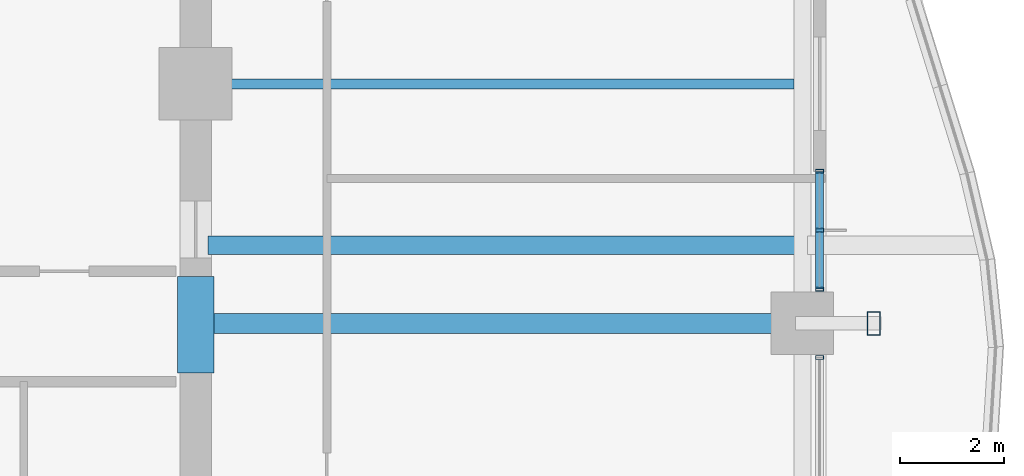
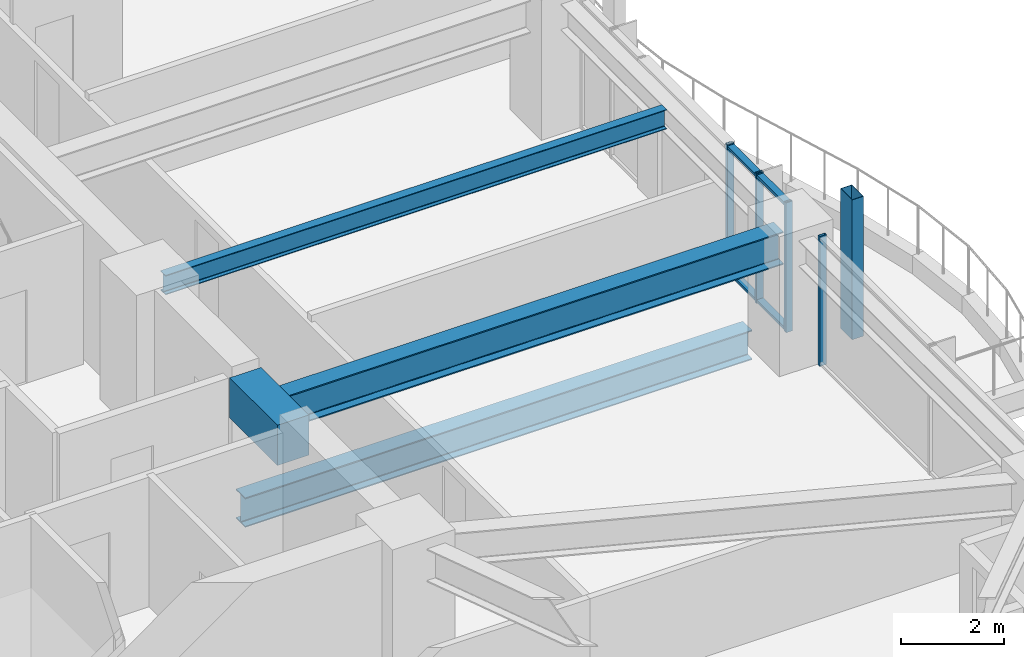
# One storey, part 14 of 36: 7 members, 4 beams, 2 elements without a shape of their own.
"""IFC4 building model written with IfcOpenShell, lengths in metres."""

from ifc_helpers import new_model, si_unit, direction, frame, origin, origin_2d, place, context, subcontext, project, spatial, rectangle, hollow_rectangle, i_section, extrude, material, material_profile, profile_set, type_object, element, aggregate, save


model = new_model("IFC4")

# Units and contexts
model_context = context("Model", 3, precision=1e-05, world=origin(), true_north=direction((0.0, 1.0)))
body_context = subcontext(model_context, "Body", "Model", "MODEL_VIEW")
ifc_project = project(units=[si_unit("LENGTHUNIT", "METRE"), si_unit("AREAUNIT", "SQUARE_METRE"), si_unit("VOLUMEUNIT", "CUBIC_METRE"), si_unit("PLANEANGLEUNIT", "RADIAN"), si_unit("MASSUNIT", "GRAM", prefix="KILO")], contexts=[model_context])

# Site, building, storey
site_placement = place(None, origin())
site = spatial("IfcSite", under=ifc_project, at=site_placement, CompositionType="ELEMENT")
building_placement = place(site_placement, origin())
building = spatial("IfcBuilding", under=site, at=building_placement, Name="Kolvaren Belvedere", CompositionType="ELEMENT")
storey_placement = place(building_placement, frame((0.0, 0.0, 46.89990234375)))
storey = spatial("IfcBuildingStorey", under=building, at=storey_placement, Name="L13", CompositionType="ELEMENT", Elevation=46.89990234375)

# Beams
ifc_material_1 = material(Name="Structural steel ASTM A992 Grade 50", Category="steel")
ifc_material_profile_1 = material_profile(ifc_material_1, i_section(OverallWidth=0.35498046875, OverallDepth=0.696044921875, WebThickness=0.015380859375, FlangeThickness=0.02490234375, FilletRadius=0.02197265625, at=origin_2d()), Name="W27X146")
ifc_profile_set_1 = profile_set([ifc_material_profile_1], Name="Structural steel ASTM A992 Grade 50")
beam_type_1 = type_object("IfcBeamType", Name="BM-GIRD-W27X146", PredefinedType="BEAM", material=ifc_profile_set_1)
beam_1_placement = place(storey_placement, frame((10.139892578125, -3.10009765625, -0.587890625), z_axis=(1.0, 0.0, 0.0), x_axis=(0.0, 1.0, 0.0)))
element("IfcBeam", 1, at=beam_1_placement, inside=storey, type_object=beam_type_1, Name="L13 Balcony Interior Back-Span Girder BAL-E-1", PredefinedType="BEAM", context=body_context, shape_type="SweptSolid", body=[
    extrude(i_section(OverallWidth=0.35498046875, OverallDepth=0.696044921875, WebThickness=0.015380859375, FlangeThickness=0.02490234375, FilletRadius=0.02197265625, at=origin_2d()), origin(), (0.0, 0.0, 1.0), 11.315185546875),
])
ifc_material_2 = material(Name="Structural steel ASTM A992 Grade 50", Category="steel")
ifc_material_profile_2 = material_profile(ifc_material_2, i_section(OverallWidth=0.381103515625, OverallDepth=0.77294921875, WebThickness=0.0166015625, FlangeThickness=0.027099609375, FilletRadius=0.02392578125, at=origin_2d()), Name="W30X173")
ifc_profile_set_2 = profile_set([ifc_material_profile_2], Name="Structural steel ASTM A992 Grade 50")
beam_type_2 = type_object("IfcBeamType", Name="BM-GIRD-W30X173", PredefinedType="BEAM", material=ifc_profile_set_2)
beam_2_placement = place(storey_placement, frame((10.199951171875, -4.60009765625, 2.673583984375), z_axis=(1.0, 0.0, 0.0), x_axis=(0.0, 1.0, 0.0)))
element("IfcBeam", 2, at=beam_2_placement, inside=storey, type_object=beam_type_2, Name="L13 East Radial Girder M", PredefinedType="BEAM", context=body_context, shape_type="SweptSolid", body=[
    extrude(i_section(OverallWidth=0.381103515625, OverallDepth=0.77294921875, WebThickness=0.0166015625, FlangeThickness=0.027099609375, FilletRadius=0.02392578125, at=origin_2d()), origin(), (0.0, 0.0, 1.0), 11.080078125),
])
ifc_material_3 = material(Name="Structural steel ASTM A992 Grade 50", Category="steel")
ifc_material_profile_3 = material_profile(ifc_material_3, i_section(OverallWidth=0.19091796875, OverallDepth=0.4599609375, WebThickness=0.010009765625, FlangeThickness=0.01611328125, FilletRadius=0.014892578125, at=origin_2d()), Name="W18X55")
ifc_profile_set_3 = profile_set([ifc_material_profile_3], Name="Structural steel ASTM A992 Grade 50")
beam_type_3 = type_object("IfcBeamType", Name="BM-JOIST-W18X55", PredefinedType="BEAM", material=ifc_profile_set_3)
beam_3_placement = place(storey_placement, frame((10.199951171875, 0.0, 2.830078125), z_axis=(1.0, 0.0, 0.0), x_axis=(0.0, 1.0, 0.0)))
element("IfcBeam", 3, at=beam_3_placement, inside=storey, type_object=beam_type_3, Name="L13 East Centre Floor Beam", PredefinedType="BEAM", context=body_context, shape_type="SweptSolid", body=[
    extrude(i_section(OverallWidth=0.19091796875, OverallDepth=0.4599609375, WebThickness=0.010009765625, FlangeThickness=0.01611328125, FilletRadius=0.014892578125, at=origin_2d()), origin(), (0.0, 0.0, 1.0), 11.1875),
])
ifc_material_4 = material(Name="Concrete C60/75", Category="concrete")
ifc_material_profile_4 = material_profile(ifc_material_4, rectangle(XDim=0.699951171875, YDim=0.949951171875, at=origin_2d()), Name="RC 700X950")
ifc_profile_set_4 = profile_set([ifc_material_profile_4], Name="Concrete C60/75")
beam_type_4 = type_object("IfcBeamType", Name="BM-LINT-950", PredefinedType="LINTEL", material=ifc_profile_set_4)
beam_4_placement = place(storey_placement, frame((9.89990234375, -5.550048828125, 2.585205078125), z_axis=(0.0, 1.0, 0.0), x_axis=(-1.0, 0.0, 0.0)))
element("IfcBeam", 4, at=beam_4_placement, inside=storey, type_object=beam_type_4, Name="L13 East Core Coupling Lintel", PredefinedType="LINTEL", context=body_context, shape_type="SweptSolid", body=[
    extrude(rectangle(XDim=0.699951171875, YDim=0.949951171875, at=origin_2d()), origin(), (0.0, 0.0, 1.0), 1.85009765625),
])

# Curtain wall, members
ifc_material_5 = material(Name="Anodised pale-metal aluminium AA 6063-T6", Category="aluminium")
curtain_wall_type = type_object("IfcCurtainWallType", Name="CW-Z1-LOW", PredefinedType="NOTDEFINED", material=ifc_material_5)
curtain_wall_1_placement = place(storey_placement, origin())
curtain_wall_1 = element("IfcCurtainWall", 5, at=curtain_wall_1_placement, inside=storey, type_object=curtain_wall_type, Name="L13 Unitised Curtain Wall FCW-L13-E2-B1", PredefinedType="NOTDEFINED")
ifc_material_6 = material(Name="Anodised pale-metal aluminium AA 6063-T6", Category="aluminium")
ifc_material_profile_5 = material_profile(ifc_material_6, hollow_rectangle(XDim=0.070068359375, YDim=0.14990234375, WallThickness=0.004150390625, at=origin_2d()), Name="ALU-MUL-150X70")
ifc_profile_set_5 = profile_set([ifc_material_profile_5], Name="Anodised pale-metal aluminium AA 6063-T6")
member_type_1 = type_object("IfcMemberType", Name="CW-MUL-150", PredefinedType="MULLION", material=ifc_profile_set_5)
member_1_placement = place(storey_placement, frame((21.8798828125, -1.679931640625, 0.0), z_axis=(0.0, 0.0, 1.0), x_axis=(0.0, 1.0, 0.0)))
member_1 = element("IfcMember", 6, at=member_1_placement, type_object=member_type_1, Name="FCW-L13-E2-B1 Unitised Mullion 1", PredefinedType="MULLION", context=body_context, shape_type="SweptSolid", body=[
    extrude(hollow_rectangle(XDim=0.070068359375, YDim=0.14990234375, WallThickness=0.004150390625, at=origin_2d()), origin(), (0.0, 0.0, 1.0), 3.06005859375),
])
member_2_placement = place(storey_placement, frame((21.8798828125, -2.8125, 0.0), z_axis=(0.0, 0.0, 1.0), x_axis=(0.0, 1.0, 0.0)))
member_2 = element("IfcMember", 7, at=member_2_placement, type_object=member_type_1, Name="FCW-L13-E2-B1 Unitised Mullion 2", PredefinedType="MULLION", context=body_context, shape_type="SweptSolid", body=[
    extrude(hollow_rectangle(XDim=0.070068359375, YDim=0.14990234375, WallThickness=0.004150390625, at=origin_2d()), origin(), (0.0, 0.0, 1.0), 3.06005859375),
])
member_3_placement = place(storey_placement, frame((21.8798828125, -3.945068359375, 0.0), z_axis=(0.0, 0.0, 1.0), x_axis=(0.0, 1.0, 0.0)))
member_3 = element("IfcMember", 8, at=member_3_placement, type_object=member_type_1, Name="FCW-L13-E2-B1 Unitised Mullion 3", PredefinedType="MULLION", context=body_context, shape_type="SweptSolid", body=[
    extrude(hollow_rectangle(XDim=0.070068359375, YDim=0.14990234375, WallThickness=0.004150390625, at=origin_2d()), origin(), (0.0, 0.0, 1.0), 3.06005859375),
])

# Curtain wall, member
curtain_wall_2_placement = place(storey_placement, origin())
curtain_wall_2 = element("IfcCurtainWall", 9, at=curtain_wall_2_placement, inside=storey, type_object=curtain_wall_type, Name="L13 Unitised Curtain Wall FCW-L13-E2-B2", PredefinedType="NOTDEFINED")
member_4_placement = place(storey_placement, frame((21.8798828125, -5.2548828125, 0.0), z_axis=(0.0, 0.0, 1.0), x_axis=(0.0, 1.0, 0.0)))
member_4 = element("IfcMember", 10, at=member_4_placement, type_object=member_type_1, Name="FCW-L13-E2-B2 Unitised Mullion 1", PredefinedType="MULLION", context=body_context, shape_type="SweptSolid", body=[
    extrude(hollow_rectangle(XDim=0.070068359375, YDim=0.14990234375, WallThickness=0.004150390625, at=origin_2d()), origin(), (0.0, 0.0, 1.0), 3.06005859375),
])
aggregate(curtain_wall_2, [member_4])

# Member
ifc_material_7 = material(Name="Anodised pale-metal aluminium AA 6063-T6", Category="aluminium")
ifc_material_profile_6 = material_profile(ifc_material_7, hollow_rectangle(XDim=0.06494140625, YDim=0.14990234375, WallThickness=0.00390625, at=origin_2d()), Name="ALU-TRN-150X65")
ifc_profile_set_6 = profile_set([ifc_material_profile_6], Name="Anodised pale-metal aluminium AA 6063-T6")
member_type_2 = type_object("IfcMemberType", Name="CW-TRN-150", PredefinedType="USERDEFINED", material=ifc_profile_set_6)
member_5_placement = place(storey_placement, frame((21.8798828125, -1.679931640625, 0.06005859375), z_axis=(0.0, -1.0, 0.0), x_axis=(0.0, 0.0, 1.0)))
member_5 = element("IfcMember", 11, at=member_5_placement, type_object=member_type_2, Name="FCW-L13-E2-B1 Sill Transom", ObjectType="TRANSOM", PredefinedType="USERDEFINED", context=body_context, shape_type="SweptSolid", body=[
    extrude(hollow_rectangle(XDim=0.06494140625, YDim=0.14990234375, WallThickness=0.00390625, at=origin_2d()), origin(), (0.0, 0.0, 1.0), 2.26513671875),
])

member_6_placement = place(storey_placement, frame((21.8798828125, -1.679931640625, 3.0), z_axis=(0.0, -1.0, 0.0), x_axis=(0.0, 0.0, 1.0)))
member_6 = element("IfcMember", 12, at=member_6_placement, type_object=member_type_2, Name="FCW-L13-E2-B1 Head Transom", ObjectType="TRANSOM", PredefinedType="USERDEFINED", context=body_context, shape_type="SweptSolid", body=[
    extrude(hollow_rectangle(XDim=0.06494140625, YDim=0.14990234375, WallThickness=0.00390625, at=origin_2d()), origin(), (0.0, 0.0, 1.0), 2.26513671875),
])

aggregate(curtain_wall_1, [member_1, member_2, member_3, member_5, member_6])

ifc_material_8 = material(Name="Anodised pale-metal aluminium AA 6063-T6", Category="aluminium")
ifc_material_profile_7 = material_profile(ifc_material_8, hollow_rectangle(XDim=0.25, YDim=0.449951171875, WallThickness=0.008544921875, at=origin_2d()), Name="ALU-PF-450X250")
ifc_profile_set_7 = profile_set([ifc_material_profile_7], Name="Anodised pale-metal aluminium AA 6063-T6")
member_type_3 = type_object("IfcMemberType", Name="PF-FRAME-450", PredefinedType="USERDEFINED", material=ifc_profile_set_7)
member_7_placement = place(storey_placement, frame((22.919921875, -4.60009765625, 0.0), z_axis=(0.0, 0.0, 1.0), x_axis=(1.0, 0.0, 0.0)))
element("IfcMember", 13, at=member_7_placement, inside=storey, type_object=member_type_3, Name="L13 Outboard Picture-Frame Vertical E2", ObjectType="PICTURE FRAME FIN", PredefinedType="USERDEFINED", context=body_context, shape_type="SweptSolid", body=[
    extrude(hollow_rectangle(XDim=0.25, YDim=0.449951171875, WallThickness=0.008544921875, at=origin_2d()), origin(), (0.0, 0.0, 1.0), 3.300048828125),
])

save(model, "model.ifc")
